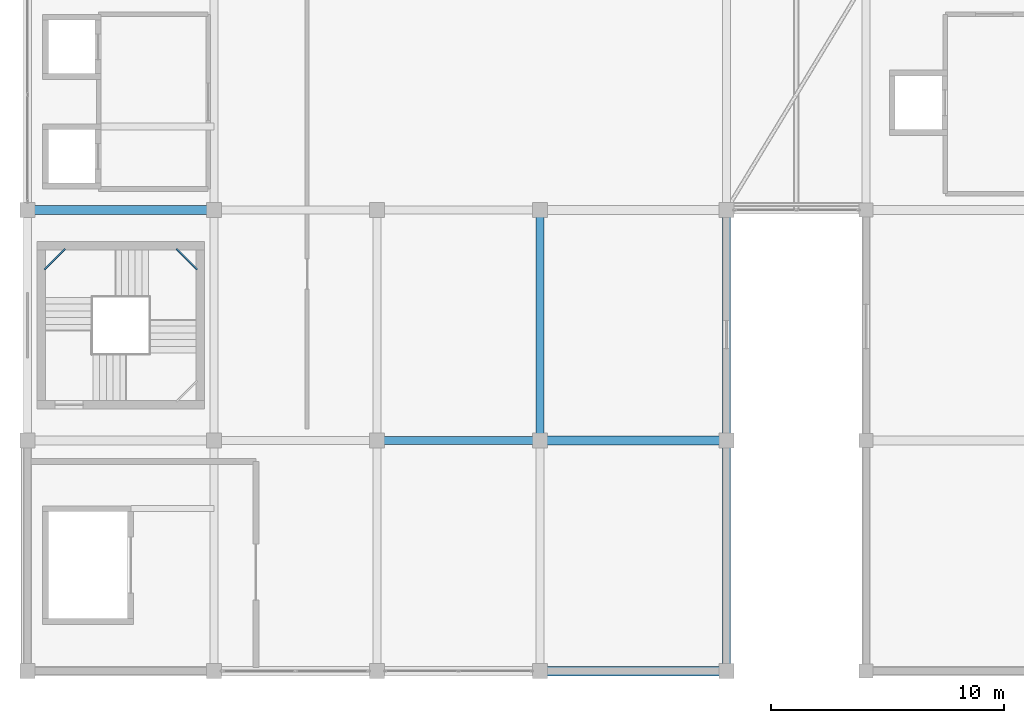
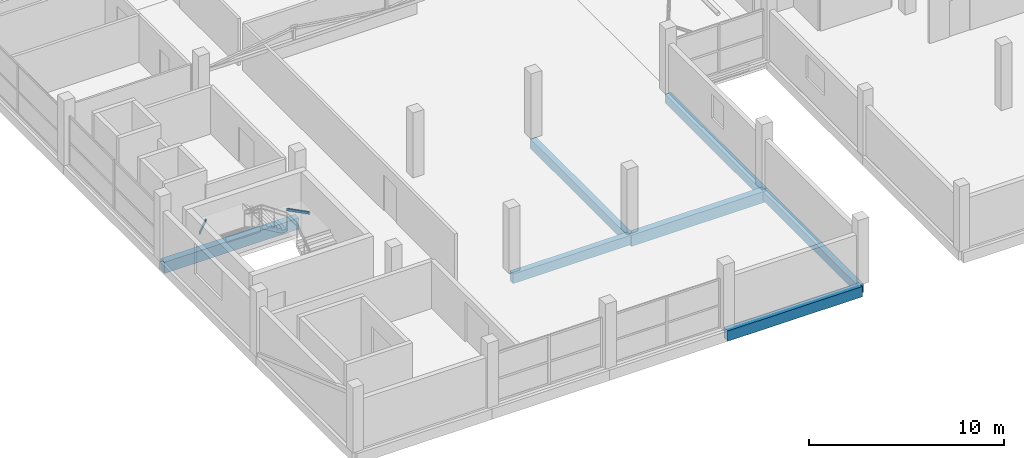
# One storey, part 5 of 70: 9 beams.
"""IFC4 building model written with IfcOpenShell, lengths in metres."""

from ifc_helpers import new_model, si_unit, direction, frame, origin, origin_2d, place, context, subcontext, project, spatial, rectangle, hollow_rectangle, extrude, material, material_profile, profile_set, type_object, element, save


model = new_model("IFC4")

# Units and contexts
model_context = context("Model", 3, precision=1e-05, world=origin(), true_north=direction((0.0, 1.0)))
body_context = subcontext(model_context, "Body", "Model", "MODEL_VIEW")
ifc_project = project(units=[si_unit("LENGTHUNIT", "METRE"), si_unit("AREAUNIT", "SQUARE_METRE"), si_unit("VOLUMEUNIT", "CUBIC_METRE"), si_unit("PLANEANGLEUNIT", "RADIAN"), si_unit("MASSUNIT", "GRAM", prefix="KILO")], contexts=[model_context])

# Site, building, storey
site_placement = place(None, origin())
site = spatial("IfcSite", under=ifc_project, at=site_placement, CompositionType="ELEMENT")
building_placement = place(site_placement, origin())
building = spatial("IfcBuilding", under=site, at=building_placement, Name="Sillaruma Civic Art Gallery", CompositionType="ELEMENT")
storey_placement = place(building_placement, frame((0.0, 0.0, 66.300048828125)))
storey = spatial("IfcBuildingStorey", under=building, at=storey_placement, Name="L13", CompositionType="ELEMENT", Elevation=66.300048828125)

# Beams
ifc_material_1 = material(Name="Concrete H35 (35 MPa)", Category="concrete")
ifc_material_profile_1 = material_profile(ifc_material_1, rectangle(XDim=0.35009765625, YDim=0.60009765625, at=origin_2d()), Name="RCB350x600")
ifc_profile_set_1 = profile_set([ifc_material_profile_1], Name="Concrete H35 (35 MPa)")
beam_type_1 = type_object("IfcBeamType", Name="BM-BEAM-RCB350x600", PredefinedType="BEAM", material=ifc_profile_set_1)
beam_1_placement = place(storey_placement, frame((77.0, 29.699951171875, -0.530029296875), z_axis=(1.0, 0.0, 0.0), x_axis=(0.0, 1.0, 0.0)))
element("IfcBeam", 1, at=beam_1_placement, inside=storey, type_object=beam_type_1, Name="Beam BM-06 (L12:4:H-J)", PredefinedType="BEAM", context=body_context, shape_type="SweptSolid", body=[
    extrude(rectangle(XDim=0.35009765625, YDim=0.60009765625, at=origin_2d()), origin(), (0.0, 0.0, 1.0), 7.0),
])
beam_2_placement = place(storey_placement, frame((84.0, 29.699951171875, -0.530029296875), z_axis=(0.0, 1.0, 0.0), x_axis=(-1.0, 0.0, 0.0)))
element("IfcBeam", 2, at=beam_2_placement, inside=storey, type_object=beam_type_1, Name="Beam BM-06 (L12:J:4-5)", PredefinedType="BEAM", context=body_context, shape_type="SweptSolid", body=[
    extrude(rectangle(XDim=0.35009765625, YDim=0.60009765625, at=origin_2d()), origin(), (0.0, 0.0, 1.0), 9.900146484375),
])
ifc_material_profile_2 = material_profile(ifc_material_1, rectangle(XDim=0.39990234375, YDim=0.699951171875, at=origin_2d()), Name="RCB400x700")
ifc_profile_set_2 = profile_set([ifc_material_profile_2], Name="Concrete H35 (35 MPa)")
beam_type_2 = type_object("IfcBeamType", Name="BM-BEAM-RCB400x700", PredefinedType="BEAM", material=ifc_profile_set_2)
for number, where, z_axis, x_axis, name in (
    (3, (84.0, 29.699951171875, -0.580078125), (1.0, 0.0, 0.0), (0.0, 1.0, 0.0), "Beam BM-04 (L12:4:J-K)"),
    (4, (62.0, 39.60009765625, -0.580078125), (1.0, 0.0, 0.0), (0.0, 1.0, 0.0), "Beam BM-04 (L12:5:F-G)"),
):
    element("IfcBeam", number, at=place(storey_placement, frame(where, z_axis=z_axis, x_axis=x_axis)), inside=storey, type_object=beam_type_2, Name=name, PredefinedType="BEAM", context=body_context, shape_type="SweptSolid", body=[
        extrude(rectangle(XDim=0.39990234375, YDim=0.699951171875, at=origin_2d()), origin(), (0.0, 0.0, 1.0), 8.0),
    ])
ifc_material_2 = material(Name="Structural Steel ASTM A500 Gr.C", Category="steel")
ifc_material_profile_3 = material_profile(ifc_material_2, hollow_rectangle(XDim=0.080078125, YDim=0.159912109375, WallThickness=0.008056640625, InnerFilletRadius=0.008056640625, OuterFilletRadius=0.01611328125, at=origin_2d()), Name="HSS160x80x8")
ifc_profile_set_3 = profile_set([ifc_material_profile_3], Name="Structural Steel ASTM A500 Gr.C")
beam_type_3 = type_object("IfcBeamType", Name="BM-LND-HSS160", PredefinedType="BEAM", material=ifc_profile_set_3)
for number, where, z_axis, x_axis, name in (
    (5, (68.389892578125, 37.929931640625, 1.760009765625), (0.707203758046, -0.707009791025, 0.0), (0.707009791025, 0.707203758046, 0.0), "Stair Corner Landing Trimmer Beam (ST-03-L13-2)"),
    (6, (62.719970703125, 37.0400390625, 2.780029296875), (0.707203758046, 0.707009791025, 0.0), (-0.707009791025, 0.707203758046, 0.0), "Stair Corner Landing Trimmer Beam (ST-03-L13-3)"),
):
    element("IfcBeam", number, at=place(storey_placement, frame(where, z_axis=z_axis, x_axis=x_axis)), inside=storey, type_object=beam_type_3, Name=name, PredefinedType="BEAM", context=body_context, shape_type="SweptSolid", body=[
        extrude(hollow_rectangle(XDim=0.080078125, YDim=0.159912109375, WallThickness=0.008056640625, InnerFilletRadius=0.008056640625, OuterFilletRadius=0.01611328125, at=origin_2d()), origin(), (0.0, 0.0, 1.0), 1.2587890625),
    ])
ifc_material_profile_4 = material_profile(ifc_material_1, rectangle(XDim=0.35009765625, YDim=0.550048828125, at=origin_2d()), Name="RCB350x550")
ifc_profile_set_4 = profile_set([ifc_material_profile_4], Name="Concrete H35 (35 MPa)")
beam_type_4 = type_object("IfcBeamType", Name="BM-SPANDREL-RCB350x550", PredefinedType="SPANDREL", material=ifc_profile_set_4)
beam_3_placement = place(storey_placement, frame((92.0, 19.800048828125, -0.505126953125), z_axis=(0.0, 1.0, 0.0), x_axis=(-1.0, 0.0, 0.0)))
element("IfcBeam", 7, at=beam_3_placement, inside=storey, type_object=beam_type_4, Name="Beam BS-04 (L12:K:3-4)", PredefinedType="SPANDREL", context=body_context, shape_type="SweptSolid", body=[
    extrude(rectangle(XDim=0.35009765625, YDim=0.550048828125, at=origin_2d()), origin(), (0.0, 0.0, 1.0), 9.89990234375),
])
beam_4_placement = place(storey_placement, frame((92.0, 29.699951171875, -0.505126953125), z_axis=(0.0, 1.0, 0.0), x_axis=(-1.0, 0.0, 0.0)))
element("IfcBeam", 8, at=beam_4_placement, inside=storey, type_object=beam_type_4, Name="Beam BS-04 (L12:K:4-5)", PredefinedType="SPANDREL", context=body_context, shape_type="SweptSolid", body=[
    extrude(rectangle(XDim=0.35009765625, YDim=0.550048828125, at=origin_2d()), origin(), (0.0, 0.0, 1.0), 9.900146484375),
])
ifc_material_profile_5 = material_profile(ifc_material_1, rectangle(XDim=0.39990234375, YDim=0.64990234375, at=origin_2d()), Name="RCB400x650")
ifc_profile_set_5 = profile_set([ifc_material_profile_5], Name="Concrete H35 (35 MPa)")
beam_type_5 = type_object("IfcBeamType", Name="BM-SPANDREL-RCB400x650", PredefinedType="SPANDREL", material=ifc_profile_set_5)
beam_5_placement = place(storey_placement, frame((84.0, 19.800048828125, -0.554931640625), z_axis=(1.0, 0.0, 0.0), x_axis=(0.0, 1.0, 0.0)))
element("IfcBeam", 9, at=beam_5_placement, inside=storey, type_object=beam_type_5, Name="Beam BS-02 (L12:3:J-K)", PredefinedType="SPANDREL", context=body_context, shape_type="SweptSolid", body=[
    extrude(rectangle(XDim=0.39990234375, YDim=0.64990234375, at=origin_2d()), origin(), (0.0, 0.0, 1.0), 8.0),
])

save(model, "model.ifc")
